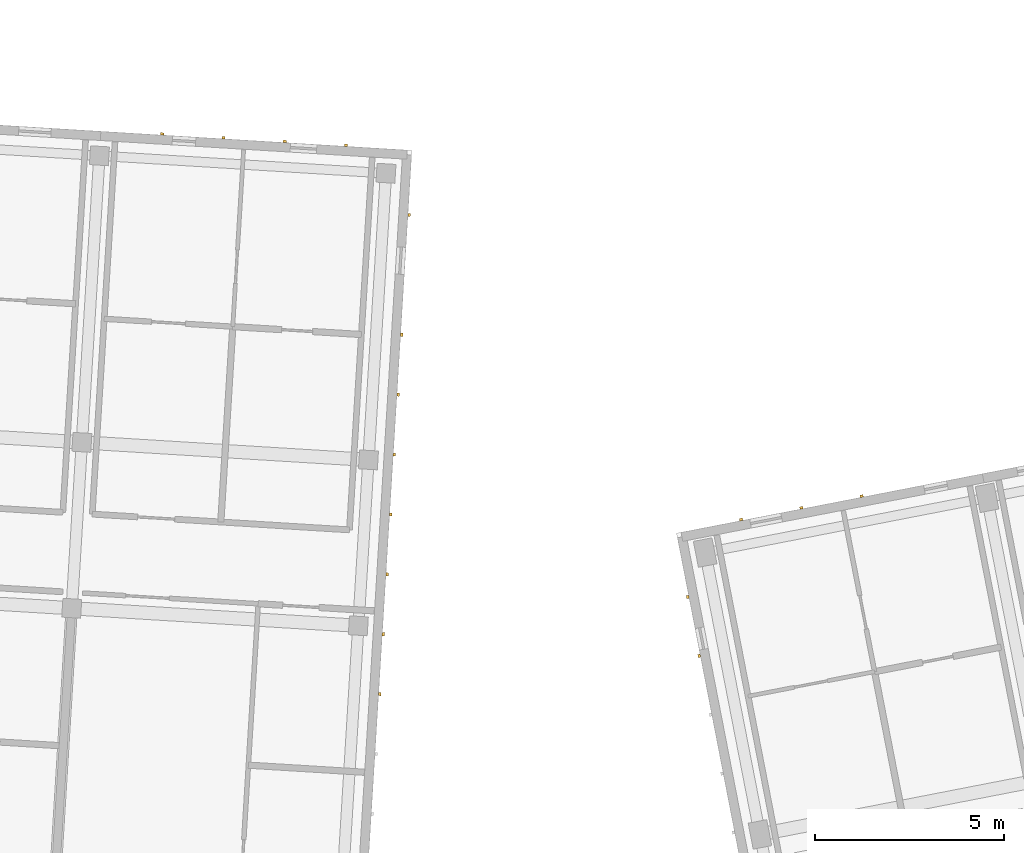
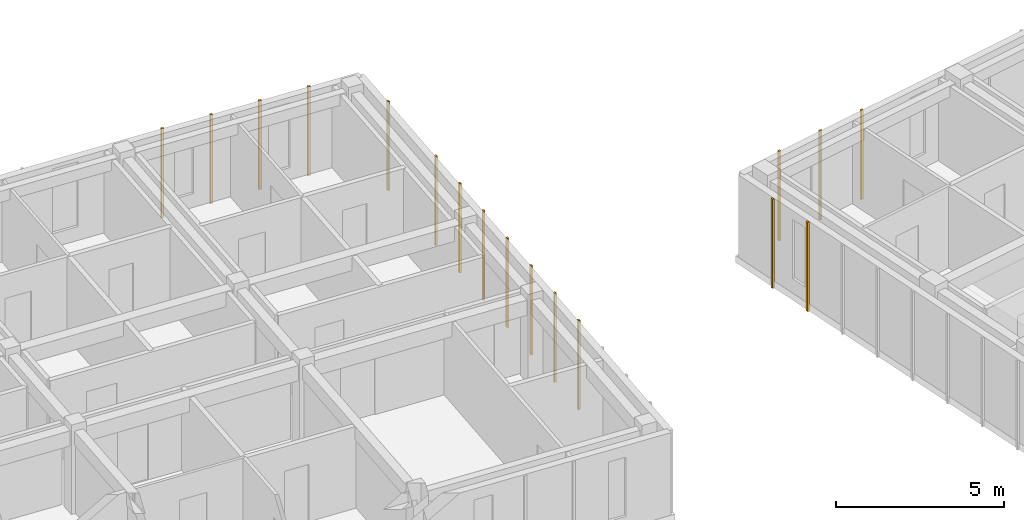
# One storey, part 53 of 66: 17 coverings.
"""IFC4 building model written with IfcOpenShell, lengths in metres."""

from ifc_helpers import new_model, si_unit, direction, frame, origin, origin_2d, place, context, subcontext, project, spatial, rectangle, extrude, material, layer, layer_set, type_object, element, save


model = new_model("IFC4")

# Units and contexts
model_context = context("Model", 3, precision=1e-05, world=origin(), true_north=direction((0.0, 1.0)))
body_context = subcontext(model_context, "Body", "Model", "MODEL_VIEW")
ifc_project = project(units=[si_unit("LENGTHUNIT", "METRE"), si_unit("AREAUNIT", "SQUARE_METRE"), si_unit("VOLUMEUNIT", "CUBIC_METRE"), si_unit("PLANEANGLEUNIT", "RADIAN"), si_unit("MASSUNIT", "GRAM", prefix="KILO")], contexts=[model_context])

# Site, building, storey
site_placement = place(None, origin())
site = spatial("IfcSite", under=ifc_project, at=site_placement, CompositionType="ELEMENT")
building_placement = place(site_placement, origin())
building = spatial("IfcBuilding", under=site, at=building_placement, Name="Kestramere Prow Commons", CompositionType="ELEMENT")
storey_placement = place(building_placement, frame((0.0, 0.0, 14.89990234375)))
storey = spatial("IfcBuildingStorey", under=building, at=storey_placement, Name="L04", CompositionType="ELEMENT", Elevation=14.89990234375)

# Coverings
ifc_material = material(Name="Weathered Zinc-Titanium Standing-Seam Cladding")
ifc_layer = layer(ifc_material, 0.074951171875)
ifc_layer_set = layer_set([ifc_layer], Name="Weathered Zinc-Titanium Standing-Seam Cladding")
covering_type = type_object("IfcCoveringType", Name="COV-CLAD-SEAM", PredefinedType="CLADDING", material=ifc_layer_set)
for number, where, z_axis, x_axis, name in (
    (1, (100.2890625, 64.320556640625, -0.25), (0.0, 0.0, 1.0), (0.998134798422, -0.061048539535, 0.0), "EW-C-L04-N-5 Standing-Seam Rib 1"),
    (2, (101.910888671875, 64.221435546875, -0.25), (0.0, 0.0, 1.0), (0.998134798422, -0.061048539535, 0.0), "EW-C-L04-N-5 Standing-Seam Rib 2"),
    (3, (103.532958984375, 64.122314453125, -0.25), (0.0, 0.0, 1.0), (0.998134798422, -0.061048539535, 0.0), "EW-C-L04-N-5 Standing-Seam Rib 3"),
    (4, (105.155029296875, 64.02294921875, -0.25), (0.0, 0.0, 1.0), (0.998134798422, -0.061048539535, 0.0), "EW-C-L04-N-5 Standing-Seam Rib 4"),
    (5, (106.82275390625, 62.1767578125, -0.25), (0.0, 0.0, 1.0), (-0.061048539535, -0.998134798422, 0.0), "EW-C-L04-EAV Standing-Seam Rib 1"),
    (6, (106.62890625, 59.005859375, -0.25), (0.0, 0.0, 1.0), (-0.061048539535, -0.998134798422, 0.0), "EW-C-L04-EAV Standing-Seam Rib 3"),
    (7, (106.531982421875, 57.42041015625, -0.25), (0.0, 0.0, 1.0), (-0.061048539535, -0.998134798422, 0.0), "EW-C-L04-EAV Standing-Seam Rib 4"),
    (8, (106.434814453125, 55.834716796875, -0.25), (0.0, 0.0, 1.0), (-0.061048539535, -0.998134798422, 0.0), "EW-C-L04-EAV Standing-Seam Rib 5"),
    (9, (106.337890625, 54.249267578125, -0.25), (0.0, 0.0, 1.0), (-0.061048539535, -0.998134798422, 0.0), "EW-C-L04-EAV Standing-Seam Rib 6"),
    (10, (106.240966796875, 52.663818359375, -0.25), (0.0, 0.0, 1.0), (-0.061048539535, -0.998134798422, 0.0), "EW-C-L04-EAV Standing-Seam Rib 7"),
    (11, (106.14404296875, 51.078369140625, -0.25), (0.0, 0.0, 1.0), (-0.061048539535, -0.998134798422, 0.0), "EW-C-L04-EAV Standing-Seam Rib 8"),
    (12, (106.047119140625, 49.492919921875, -0.25), (0.0, 0.0, 1.0), (-0.061048539535, -0.998134798422, 0.0), "EW-C-L04-EAV Standing-Seam Rib 9"),
    (13, (115.610595703125, 54.11474609375, -0.25), (0.0, 0.0, 1.0), (0.981627183448, 0.190808995377, 0.0), "EW-D-L04-N-0 Standing-Seam Rib 1"),
    (14, (117.205810546875, 54.4248046875, -0.25), (0.0, 0.0, 1.0), (0.981627183448, 0.190808995377, 0.0), "EW-D-L04-N-0 Standing-Seam Rib 2"),
    (15, (118.801025390625, 54.73486328125, -0.25), (0.0, 0.0, 1.0), (0.981627183448, 0.190808995377, 0.0), "EW-D-L04-N-0 Standing-Seam Rib 3"),
    (16, (114.501220703125, 50.50732421875, -0.25), (0.0, 0.0, 1.0), (-0.190808995377, 0.981627183448, 0.0), "EW-D-L04-EAV Standing-Seam Rib 11"),
    (17, (114.197998046875, 52.066650390625, -0.25), (0.0, 0.0, 1.0), (-0.190808995377, 0.981627183448, 0.0), "EW-D-L04-EAV Standing-Seam Rib 12"),
):
    element("IfcCovering", number, at=place(storey_placement, frame(where, z_axis=z_axis, x_axis=x_axis)), inside=storey, type_object=covering_type, Name=name, PredefinedType="CLADDING", context=body_context, shape_type="SweptSolid", body=[
        extrude(rectangle(XDim=0.0849609375, YDim=0.06494140625, at=origin_2d()), origin(), (0.0, 0.0, 1.0), 3.25),
    ])

save(model, "model.ifc")
